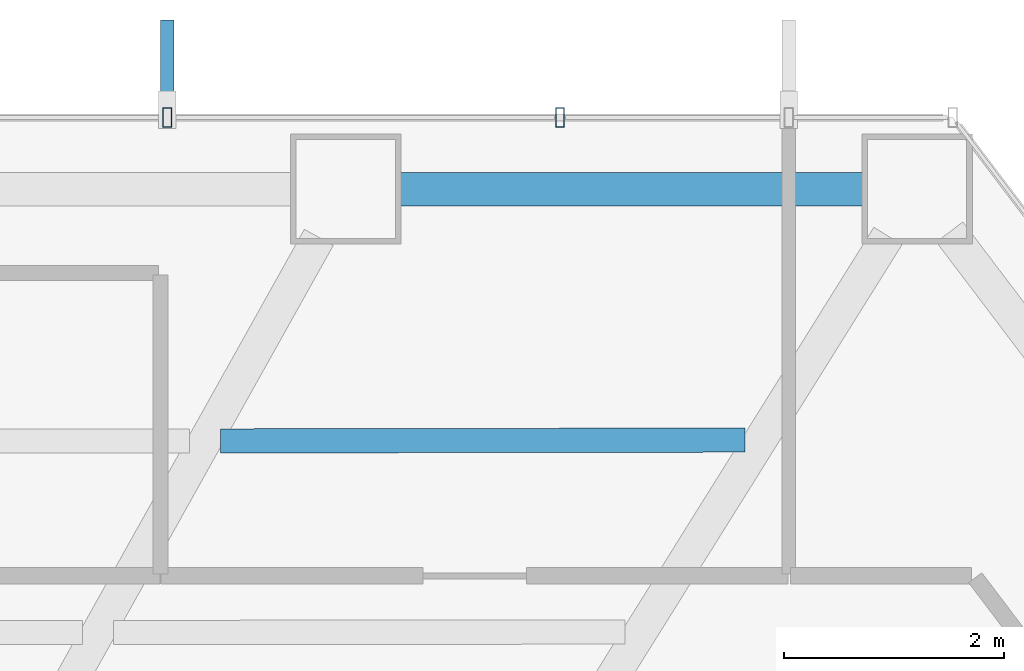
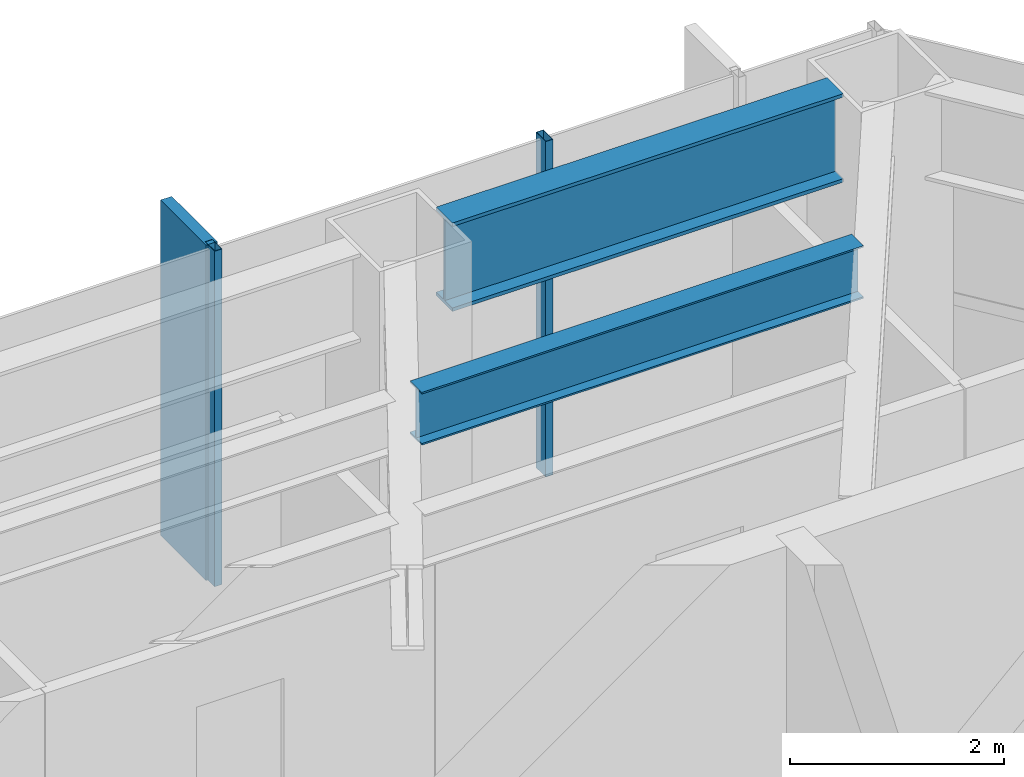
# One storey, part 16 of 26: 3 members, 2 beams, 1 element without a shape of its own.
"""IFC4 building model written with IfcOpenShell, lengths in metres."""

from ifc_helpers import new_model, si_unit, direction, frame, origin, origin_2d, place, context, subcontext, project, spatial, rectangle, hollow_rectangle, i_section, extrude, material, layer, layer_set, material_profile, profile_set, type_object, element, aggregate, save


model = new_model("IFC4")

# Units and contexts
model_context = context("Model", 3, precision=1e-05, world=origin(), true_north=direction((0.0, 1.0)))
body_context = subcontext(model_context, "Body", "Model", "MODEL_VIEW")
ifc_project = project(units=[si_unit("LENGTHUNIT", "METRE"), si_unit("AREAUNIT", "SQUARE_METRE"), si_unit("VOLUMEUNIT", "CUBIC_METRE"), si_unit("PLANEANGLEUNIT", "RADIAN"), si_unit("MASSUNIT", "GRAM", prefix="KILO")], contexts=[model_context])

# Site, building, storey
site_placement = place(None, origin())
site = spatial("IfcSite", under=ifc_project, at=site_placement, CompositionType="ELEMENT")
building_placement = place(site_placement, origin())
building = spatial("IfcBuilding", under=site, at=building_placement, Name="Zarrinselat Tower", CompositionType="ELEMENT")
storey_placement = place(building_placement, frame((0.0, 0.0, 27.5400390625)))
storey = spatial("IfcBuildingStorey", under=building, at=storey_placement, Name="L06", CompositionType="ELEMENT", Elevation=27.5400390625)

# Beams
ifc_material_1 = material(Name="Steel S460M", Category="steel")
ifc_material_profile_1 = material_profile(ifc_material_1, i_section(OverallWidth=0.302001953125, OverallDepth=1.008056640625, WebThickness=0.02099609375, FlangeThickness=0.0400390625, at=origin_2d()), Name="HEM 1000")
ifc_profile_set_1 = profile_set([ifc_material_profile_1], Name="Steel S460M")
beam_type_1 = type_object("IfcBeamType", Name="BM-HEM1000", PredefinedType="BEAM", material=ifc_profile_set_1)
beam_1_placement = place(storey_placement, frame((44.768310546875, 49.510986328125, 3.31591796875), z_axis=(1.0, 0.0, 0.0), x_axis=(0.0, 1.0, 0.0)))
element("IfcBeam", 1, at=beam_1_placement, inside=storey, type_object=beam_type_1, Name="L06 Perimeter Spandrel Girder SP01", PredefinedType="BEAM", context=body_context, shape_type="SweptSolid", body=[
    extrude(i_section(OverallWidth=0.302001953125, OverallDepth=1.008056640625, WebThickness=0.02099609375, FlangeThickness=0.0400390625, at=origin_2d()), origin(), (0.0, 0.0, 1.0), 4.210205078125),
])
ifc_material_2 = material(Name="Steel S355J2", Category="steel")
ifc_material_profile_2 = material_profile(ifc_material_2, i_section(OverallWidth=0.219970703125, OverallDepth=0.60009765625, WebThickness=0.011962890625, FlangeThickness=0.01904296875, at=origin_2d()), Name="IPE 600")
ifc_profile_set_2 = profile_set([ifc_material_profile_2], Name="Steel S355J2")
beam_type_2 = type_object("IfcBeamType", Name="BM-IPE600", PredefinedType="JOIST", material=ifc_profile_set_2)
beam_2_placement = place(storey_placement, frame((43.143310546875, 47.225830078125, 3.52001953125), z_axis=(0.999998653658, 0.001640939281, 0.0), x_axis=(-0.001640939281, 0.999998653658, 0.0)))
element("IfcBeam", 2, at=beam_2_placement, inside=storey, type_object=beam_type_2, Name="L06 Composite Floor Joist 8-1", PredefinedType="JOIST", context=body_context, shape_type="SweptSolid", body=[
    extrude(i_section(OverallWidth=0.219970703125, OverallDepth=0.60009765625, WebThickness=0.011962890625, FlangeThickness=0.01904296875, at=origin_2d()), origin(), (0.0, 0.0, 1.0), 4.760986328125),
])

# Curtain wall, members
ifc_material_3 = material(Name="Extruded Aluminium Alloy EN AW-6063 T6", Category="aluminium")
ifc_layer = layer(ifc_material_3, 0.18505859375)
ifc_layer_set = layer_set([ifc_layer], Name="Extruded Aluminium Alloy EN AW-6063 T6")
curtain_wall_type = type_object("IfcCurtainWallType", Name="CWS-OFF", PredefinedType="NOTDEFINED", material=ifc_layer_set)
curtain_wall_placement = place(storey_placement, origin())
curtain_wall = element("IfcCurtainWall", 3, at=curtain_wall_placement, inside=storey, type_object=curtain_wall_type, Name="L06 Unitised Curtain Wall CW-L06-E01", PredefinedType="NOTDEFINED")
ifc_material_4 = material(Name="Extruded Aluminium Alloy EN AW-6063 T6", Category="aluminium")
ifc_material_profile_3 = material_profile(ifc_material_4, hollow_rectangle(XDim=0.080078125, YDim=0.179931640625, WallThickness=0.0048828125, at=origin_2d()), Name="RHS 180x80x5")
ifc_profile_set_3 = profile_set([ifc_material_profile_3], Name="Extruded Aluminium Alloy EN AW-6063 T6")
member_type_1 = type_object("IfcMemberType", Name="MEM-CW-MUL", PredefinedType="MULLION", material=ifc_profile_set_3)
member_1_placement = place(storey_placement, frame((46.224365234375, 50.1611328125, 0.0), z_axis=(0.0, 0.0, 1.0), x_axis=(-1.0, 0.0, 0.0)))
member_1 = element("IfcMember", 4, at=member_1_placement, type_object=member_type_1, Name="CW-L06-E01 Mullion 2", PredefinedType="MULLION", context=body_context, shape_type="SweptSolid", body=[
    extrude(hollow_rectangle(XDim=0.080078125, YDim=0.179931640625, WallThickness=0.0048828125, at=origin_2d()), origin(), (0.0, 0.0, 1.0), 3.820068359375),
])
member_2_placement = place(storey_placement, frame((42.659423828125, 50.1611328125, 0.0), z_axis=(0.0, 0.0, 1.0), x_axis=(-1.0, 0.0, 0.0)))
member_2 = element("IfcMember", 5, at=member_2_placement, type_object=member_type_1, Name="CW-L06-E01 Mullion 3", PredefinedType="MULLION", context=body_context, shape_type="SweptSolid", body=[
    extrude(hollow_rectangle(XDim=0.080078125, YDim=0.179931640625, WallThickness=0.0048828125, at=origin_2d()), origin(), (0.0, 0.0, 1.0), 3.820068359375),
])
ifc_material_5 = material(Name="Honed Cream Travertine Stone", Category="masonry")
ifc_material_profile_4 = material_profile(ifc_material_5, rectangle(XDim=0.1201171875, YDim=0.85009765625, at=origin_2d()), Name="FIN 850x120")
ifc_profile_set_4 = profile_set([ifc_material_profile_4], Name="Honed Cream Travertine Stone")
member_type_2 = type_object("IfcMemberType", Name="MEM-STONE-FIN", PredefinedType="USERDEFINED", material=ifc_profile_set_4)
member_3_placement = place(storey_placement, frame((42.659423828125, 50.62109375, 0.0), z_axis=(0.0, 0.0, 1.0), x_axis=(1.0, 0.0, 0.0)))
member_3 = element("IfcMember", 6, at=member_3_placement, type_object=member_type_2, Name="L06 Stone Shading Fin CW-L06-E01-03", ObjectType="FIN", PredefinedType="USERDEFINED", context=body_context, shape_type="SweptSolid", body=[
    extrude(rectangle(XDim=0.1201171875, YDim=0.85009765625, at=origin_2d()), origin(), (0.0, 0.0, 1.0), 3.820068359375),
])
aggregate(curtain_wall, [member_1, member_2, member_3])

save(model, "model.ifc")
